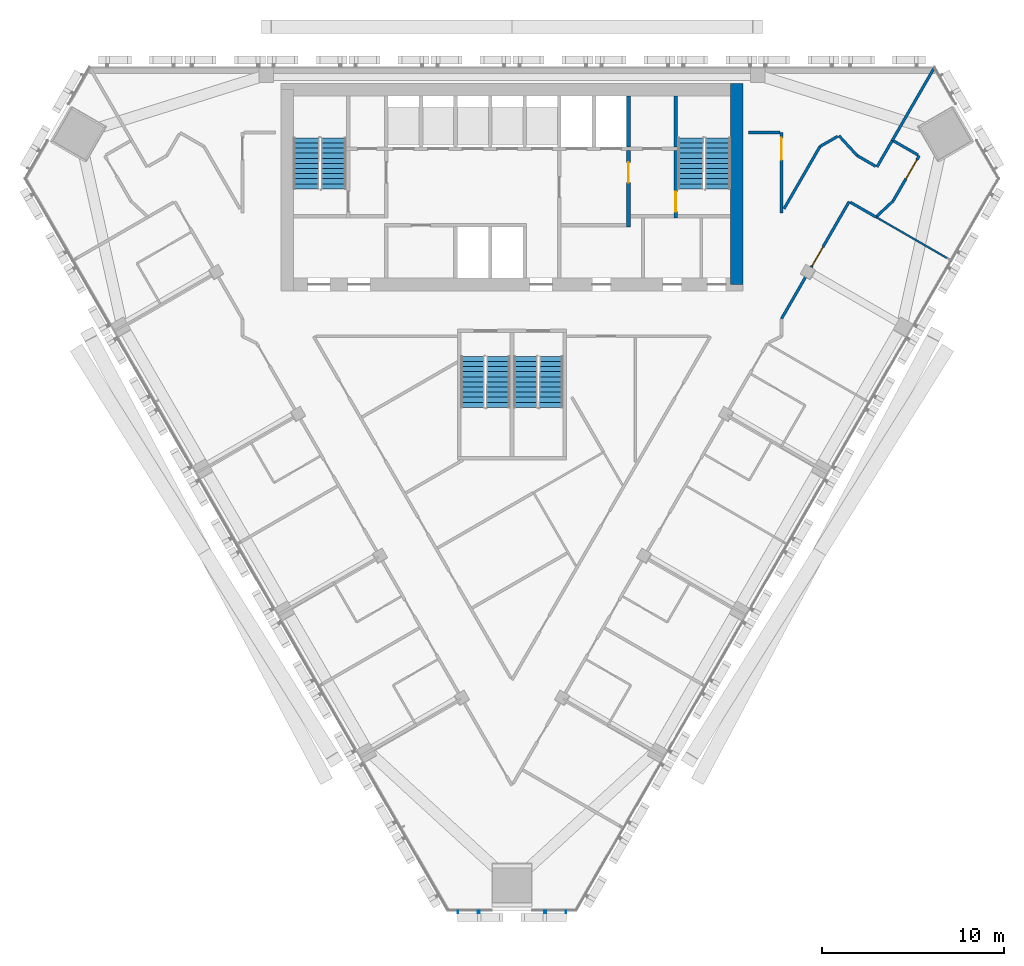
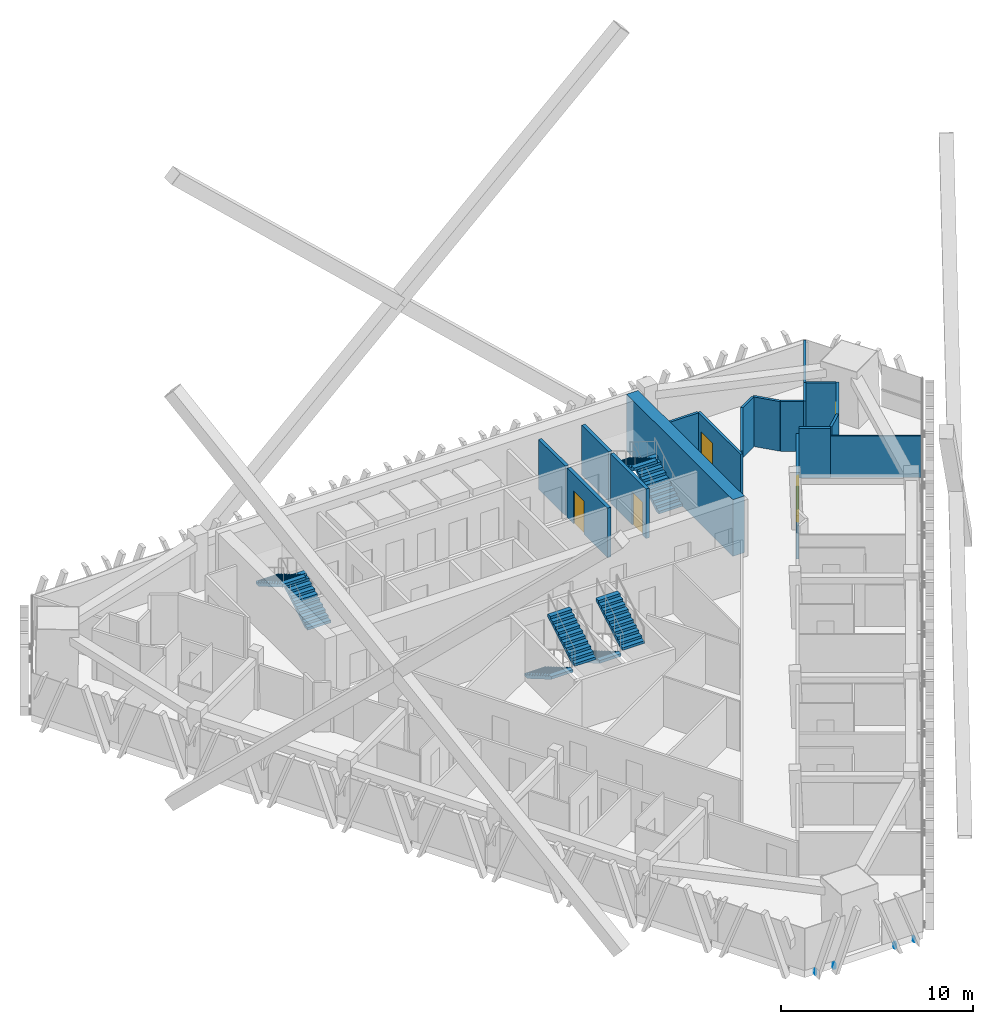
# One storey, part 14 of 18: 19 walls, 8 stair flights, 5 doors, 1 discrete accessory, 5 openings, 4 elements without a shape of their own.
"""IFC4 building model written with IfcOpenShell, lengths in metres."""

from ifc_helpers import new_model, si_unit, direction, frame, frame_2d, origin, place, context, subcontext, project, spatial, polyline, rectangle, outline, extrude, source, transform, mapped, material, layer, layer_set, type_object, element, fill, aggregate, save


model = new_model("IFC4")

# Units and contexts
model_context = context("Model", 3, precision=1e-05, world=origin(), true_north=direction((0.0, 1.0)))
body_context = subcontext(model_context, "Body", "Model", "MODEL_VIEW")
ifc_project = project(units=[si_unit("LENGTHUNIT", "METRE"), si_unit("AREAUNIT", "SQUARE_METRE"), si_unit("VOLUMEUNIT", "CUBIC_METRE"), si_unit("PLANEANGLEUNIT", "RADIAN"), si_unit("MASSUNIT", "GRAM", prefix="KILO")], contexts=[model_context])

# Site, building, storey
site_placement = place(None, origin())
site = spatial("IfcSite", under=ifc_project, at=site_placement, CompositionType="ELEMENT")
building_placement = place(site_placement, origin())
building = spatial("IfcBuilding", under=site, at=building_placement, Name="Altiplano Prism Tower", CompositionType="ELEMENT")
storey_placement = place(building_placement, frame((0.0, 0.0, 163.800048828125)))
storey = spatial("IfcBuildingStorey", under=building, at=storey_placement, Name="L42", CompositionType="ELEMENT", Elevation=163.800048828125)

# Walls
ifc_material_1 = material(Name="Concrete C60/75", Category="concrete")
ifc_layer_1 = layer(ifc_material_1, 0.699951171875)
ifc_layer_set_1 = layer_set([ifc_layer_1], Name="Concrete C60/75")
wall_type_1 = type_object("IfcWallType", Name="Core wall 700", PredefinedType="SHEAR", material=ifc_layer_set_1)
wall_1_placement = place(storey_placement, frame((97.35009765625, 93.050048828125, 0.0), z_axis=(0.0, 0.0, 1.0), x_axis=(0.0, 1.0, 0.0)))
element("IfcWall", 1, at=wall_1_placement, inside=storey, type_object=wall_type_1, Name="Core wall E L42", PredefinedType="SHEAR", context=body_context, shape_type="SweptSolid", body=[
    extrude(rectangle(XDim=11.050048828125, YDim=0.699951171875, at=frame_2d((5.52490234375, 0.0))), origin(), (0.0, 0.0, 1.0), 3.599853515625),
])
ifc_material_2 = material(Name="Plasterboard on steel stud", Category="steel")
ifc_layer_2 = layer(ifc_material_2, 0.10009765625)
ifc_layer_set_2 = layer_set([ifc_layer_2], Name="Plasterboard on steel stud")
wall_type_2 = type_object("IfcWallType", Name="Partition 100 wet", PredefinedType="PARTITIONING", material=ifc_layer_set_2)
wall_2_placement = place(storey_placement, frame((109.077880859375, 94.39306640625, 0.0), z_axis=(0.0, 0.0, 1.0), x_axis=(-0.866028828302, 0.499994068514, 0.0)))
element("IfcWall", 2, at=wall_2_placement, inside=storey, type_object=wall_type_2, Name="Partition P03 L42 078", PredefinedType="PARTITIONING", context=body_context, shape_type="SweptSolid", body=[
    extrude(rectangle(XDim=4.72021484375, YDim=0.10009765625, at=frame_2d((2.360107421875, 0.0))), origin(), (0.0, 0.0, 1.0), 2.64990234375),
])

# Wall, opening, door
ifc_layer_3 = layer(ifc_material_2, 0.14990234375)
ifc_layer_set_3 = layer_set([ifc_layer_3], Name="Plasterboard on steel stud")
wall_type_3 = type_object("IfcWallType", Name="Partition 150 corridor", PredefinedType="PARTITIONING", material=ifc_layer_set_3)
wall_3_placement = place(storey_placement, frame((99.800048828125, 91.163818359375, 0.0), z_axis=(0.0, 0.0, 1.0), x_axis=(0.499995303914, 0.866028115054, 0.0)))
wall_3 = element("IfcWall", 3, at=wall_3_placement, inside=storey, type_object=wall_type_3, Name="Partition P06 L42 016", PredefinedType="PARTITIONING", context=body_context, shape_type="SweptSolid", body=[
    extrude(rectangle(XDim=7.435546875, YDim=0.14990234375, at=frame_2d((3.7177734375, 0.0))), origin(), (0.0, 0.0, 1.0), 2.75),
])
opening_1_placement = place(wall_3_placement, frame((3.360107421875, 0.0, 0.0)))
opening_1 = element("IfcOpeningElement", 4, at=opening_1_placement, cuts=wall_3, Name="Opening D1501", PredefinedType="OPENING", context=body_context, shape_type="SweptSolid", body=[
    extrude(rectangle(XDim=1.199951171875, YDim=2.10009765625, at=frame_2d((0.60009765625, 1.050048828125))), frame((0.0, 0.08544921875, 0.0), z_axis=(0.0, -1.0, 0.0), x_axis=(1.0, 0.0, 0.0)), (0.0, 0.0, 1.0), 0.1708984375),
])
ifc_material_3 = material(Name="Timber", Category="wood")
door_type_1 = type_object("IfcDoorType", Name="Shared room door 1200 x 2100", OperationType="NOTDEFINED", PredefinedType="NOTDEFINED", material=ifc_material_3)
door_1_placement = place(opening_1_placement, origin())
door_1 = element("IfcDoor", 5, at=door_1_placement, inside=storey, type_object=door_type_1, Name="Door D1501", OperationType="SINGLE_SWING_RIGHT", OverallHeight=2.10009765625, OverallWidth=1.199951171875, PredefinedType="NOTDEFINED", context=body_context, shape_type="SweptSolid", body=[
    extrude(rectangle(XDim=1.199951171875, YDim=2.10009765625, at=frame_2d((0.60009765625, 1.050048828125))), frame((0.0, 0.02490234375, 0.0), z_axis=(0.0, -1.0, 0.0), x_axis=(1.0, 0.0, 0.0)), (0.0, 0.0, 1.0), 0.050048828125),
])
fill(opening_1, door_1)

# Walls
wall_4_placement = place(storey_placement, frame((103.582763671875, 97.565673828125, 0.0), z_axis=(0.0, 0.0, 1.0), x_axis=(0.865997838567, -0.500047741317, 0.0)))
element("IfcWall", 6, at=wall_4_placement, inside=storey, type_object=wall_type_3, Name="Partition P06 L42 017", PredefinedType="PARTITIONING", context=body_context, shape_type="SweptSolid", body=[
    extrude(rectangle(XDim=1.645751953125, YDim=0.14990234375, at=frame_2d((0.82275390625, 0.0))), origin(), (0.0, 0.0, 1.0), 3.14990234375),
])
wall_5_placement = place(storey_placement, frame((105.046875, 96.806396484375, 0.0), z_axis=(0.0, 0.0, 1.0), x_axis=(0.730353054174, 0.683069847277, 0.0)))
element("IfcWall", 7, at=wall_5_placement, inside=storey, type_object=wall_type_3, Name="Partition P06 L42 018", PredefinedType="PARTITIONING", context=body_context, shape_type="SweptSolid", body=[
    extrude(rectangle(XDim=1.203125, YDim=0.14990234375, at=frame_2d((0.6015625, 0.0))), origin(), (0.0, 0.0, 1.0), 3.14990234375),
])

# Wall, opening, door
wall_6_placement = place(storey_placement, frame((105.925537109375, 97.628173828125, 0.0), z_axis=(0.0, 0.0, 1.0), x_axis=(0.500006299954, 0.866021766474, 0.0)))
wall_6 = element("IfcWall", 8, at=wall_6_placement, inside=storey, type_object=wall_type_3, Name="Partition P06 L42 019", PredefinedType="PARTITIONING", context=body_context, shape_type="SweptSolid", body=[
    extrude(rectangle(XDim=2.87890625, YDim=0.14990234375, at=frame_2d((1.439453125, 0.0))), origin(), (0.0, 0.0, 1.0), 3.14990234375),
])
opening_2_placement = place(wall_6_placement, frame((1.416015625, 0.0, 0.0)))
opening_2 = element("IfcOpeningElement", 9, at=opening_2_placement, cuts=wall_6, Name="Opening D1502", PredefinedType="OPENING", context=body_context, shape_type="SweptSolid", body=[
    extrude(rectangle(XDim=1.199951171875, YDim=2.10009765625, at=frame_2d((0.60009765625, 1.050048828125))), frame((0.0, 0.08544921875, 0.0), z_axis=(0.0, -1.0, 0.0), x_axis=(1.0, 0.0, 0.0)), (0.0, 0.0, 1.0), 0.1708984375),
])
door_2_placement = place(opening_2_placement, origin())
door_2 = element("IfcDoor", 10, at=door_2_placement, inside=storey, type_object=door_type_1, Name="Door D1502", OperationType="SINGLE_SWING_LEFT", OverallHeight=2.10009765625, OverallWidth=1.199951171875, PredefinedType="NOTDEFINED", context=body_context, shape_type="SweptSolid", body=[
    extrude(rectangle(XDim=1.199951171875, YDim=2.10009765625, at=frame_2d((0.60009765625, 1.050048828125))), frame((0.0, 0.02490234375, 0.0), z_axis=(0.0, -1.0, 0.0), x_axis=(1.0, 0.0, 0.0)), (0.0, 0.0, 1.0), 0.050048828125),
])
fill(opening_2, door_2)

# Walls
wall_7_placement = place(storey_placement, frame((107.300048828125, 100.158935546875, 0.0), z_axis=(0.0, 0.0, 1.0), x_axis=(-0.865760426082, 0.500458674247, 0.0)))
element("IfcWall", 11, at=wall_7_placement, inside=storey, type_object=wall_type_3, Name="Partition P06 L42 020", PredefinedType="PARTITIONING", context=body_context, shape_type="SweptSolid", body=[
    extrude(rectangle(XDim=1.5498046875, YDim=0.14990234375, at=frame_2d((0.77490234375, 0.0))), origin(), (0.0, 0.0, 1.0), 3.14990234375),
])
wall_8_placement = place(storey_placement, frame((105.88330078125, 100.954833984375, 0.0), z_axis=(0.0, 0.0, 1.0), x_axis=(-0.500062097304, -0.865989548921, 0.0)))
element("IfcWall", 12, at=wall_8_placement, inside=storey, type_object=wall_type_3, Name="Partition P06 L42 028", PredefinedType="PARTITIONING", context=body_context, shape_type="SweptSolid", body=[
    extrude(rectangle(XDim=1.679931640625, YDim=0.14990234375, at=frame_2d((0.83984375, 0.0))), origin(), (0.0, 0.0, 1.0), 3.14990234375),
])
wall_9_placement = place(storey_placement, frame((104.978271484375, 99.53759765625, 0.0), z_axis=(0.0, 0.0, 1.0), x_axis=(-0.865789425062, 0.500408504574, 0.0)))
element("IfcWall", 13, at=wall_9_placement, inside=storey, type_object=wall_type_3, Name="Partition P06 L42 029", PredefinedType="PARTITIONING", context=body_context, shape_type="SweptSolid", body=[
    extrude(rectangle(XDim=1.1806640625, YDim=0.14990234375, at=frame_2d((0.59033203125, 0.0))), origin(), (0.0, 0.0, 1.0), 3.14990234375),
])
wall_10_placement = place(storey_placement, frame((103.9560546875, 100.12841796875, 0.0), z_axis=(0.0, 0.0, 1.0), x_axis=(-0.67570229945, 0.73717460789, 0.0)))
element("IfcWall", 14, at=wall_10_placement, inside=storey, type_object=wall_type_3, Name="Partition P06 L42 030", PredefinedType="PARTITIONING", context=body_context, shape_type="SweptSolid", body=[
    extrude(rectangle(XDim=1.4853515625, YDim=0.14990234375, at=frame_2d((0.74267578125, 0.0))), origin(), (0.0, 0.0, 1.0), 3.14990234375),
])
wall_11_placement = place(storey_placement, frame((102.88916015625, 101.186767578125, 0.0), z_axis=(0.0, 0.0, 1.0), x_axis=(-0.866063003914, -0.499934869009, 0.0)))
element("IfcWall", 15, at=wall_11_placement, inside=storey, type_object=wall_type_3, Name="Partition P06 L42 031", PredefinedType="PARTITIONING", context=body_context, shape_type="SweptSolid", body=[
    extrude(rectangle(XDim=1.127685546875, YDim=0.14990234375, at=frame_2d((0.56396484375, 0.0))), origin(), (0.0, 0.0, 1.0), 3.14990234375),
])
wall_12_placement = place(storey_placement, frame((101.91259765625, 100.623046875, 0.0), z_axis=(0.0, 0.0, 1.0), x_axis=(-0.499999210213, -0.866025859768, 0.0)))
element("IfcWall", 16, at=wall_12_placement, inside=storey, type_object=wall_type_3, Name="Partition P06 L42 032", PredefinedType="PARTITIONING", context=body_context, shape_type="SweptSolid", body=[
    extrude(rectangle(XDim=3.9453125, YDim=0.14990234375, at=frame_2d((1.97265625, 0.0))), origin(), (0.0, 0.0, 1.0), 3.14990234375),
])

# Wall, opening, door
wall_13_placement = place(storey_placement, frame((99.800048828125, 96.9638671875, 0.0), z_axis=(0.0, 0.0, 1.0), x_axis=(0.0, 1.0, 0.0)))
wall_13 = element("IfcWall", 17, at=wall_13_placement, inside=storey, type_object=wall_type_3, Name="Partition P06 L42 033", PredefinedType="PARTITIONING", context=body_context, shape_type="SweptSolid", body=[
    extrude(rectangle(XDim=4.43603515625, YDim=0.14990234375, at=frame_2d((2.218017578125, 0.0))), origin(), (0.0, 0.0, 1.0), 3.14990234375),
])
opening_3_placement = place(wall_13_placement, frame((2.931884765625, 0.0, 0.0)))
opening_3 = element("IfcOpeningElement", 18, at=opening_3_placement, cuts=wall_13, Name="Opening D1504", PredefinedType="OPENING", context=body_context, shape_type="SweptSolid", body=[
    extrude(rectangle(XDim=1.199951171875, YDim=2.10009765625, at=frame_2d((0.60009765625, 1.050048828125))), frame((0.0, 0.08544921875, 0.0), z_axis=(0.0, -1.0, 0.0), x_axis=(1.0, 0.0, 0.0)), (0.0, 0.0, 1.0), 0.1708984375),
])
door_3_placement = place(opening_3_placement, origin())
door_3 = element("IfcDoor", 19, at=door_3_placement, inside=storey, type_object=door_type_1, Name="Door D1504", OperationType="SINGLE_SWING_LEFT", OverallHeight=2.10009765625, OverallWidth=1.199951171875, PredefinedType="NOTDEFINED", context=body_context, shape_type="SweptSolid", body=[
    extrude(rectangle(XDim=1.199951171875, YDim=2.10009765625, at=frame_2d((0.60009765625, 1.050048828125))), frame((0.0, 0.02490234375, 0.0), z_axis=(0.0, -1.0, 0.0), x_axis=(1.0, 0.0, 0.0)), (0.0, 0.0, 1.0), 0.050048828125),
])
fill(opening_3, door_3)

# Walls
wall_14_placement = place(storey_placement, frame((99.72509765625, 101.39990234375, 0.0), z_axis=(0.0, 0.0, 1.0), x_axis=(-1.0, 0.0, 0.0)))
element("IfcWall", 20, at=wall_14_placement, inside=storey, type_object=wall_type_3, Name="Partition P06 L42 034", PredefinedType="PARTITIONING", context=body_context, shape_type="SweptSolid", body=[
    extrude(rectangle(XDim=1.72509765625, YDim=0.14990234375, at=frame_2d((0.862548828125, 0.0))), origin(), (0.0, 0.0, 1.0), 3.14990234375),
])
ifc_layer_4 = layer(ifc_material_2, 0.14990234375)
ifc_layer_set_4 = layer_set([ifc_layer_4], Name="Plasterboard on steel stud")
wall_type_4 = type_object("IfcWallType", Name="Partition 150 party", PredefinedType="PARTITIONING", material=ifc_layer_set_4)
wall_15_placement = place(storey_placement, frame((108.160888671875, 104.89990234375, 0.0), z_axis=(0.0, 0.0, 1.0), x_axis=(-0.499983800959, -0.866034756103, 0.0)))
element("IfcWall", 21, at=wall_15_placement, inside=storey, type_object=wall_type_4, Name="Partition P01 L42 079", PredefinedType="PARTITIONING", context=body_context, shape_type="SweptSolid", body=[
    extrude(rectangle(XDim=4.555419921875, YDim=0.14990234375, at=frame_2d((2.27783203125, 0.0))), origin(), (0.0, 0.0, 1.0), 2.64990234375),
])
ifc_layer_5 = layer(ifc_material_1, 0.199951171875)
ifc_layer_set_5 = layer_set([ifc_layer_5], Name="Concrete C60/75")
wall_type_5 = type_object("IfcWallType", Name="Shaft wall 200", PredefinedType="SOLIDWALL", material=ifc_layer_set_5)
wall_16_placement = place(storey_placement, frame((91.39990234375, 100.60009765625, 0.0), z_axis=(0.0, 0.0, 1.0), x_axis=(0.0, 1.0, 0.0)))
element("IfcWall", 22, at=wall_16_placement, inside=storey, type_object=wall_type_5, Name="Shaft wall L42", PredefinedType="SOLIDWALL", context=body_context, shape_type="SweptSolid", body=[
    extrude(rectangle(XDim=2.7998046875, YDim=0.199951171875, at=frame_2d((1.39990234375, 0.0))), origin(), (0.0, 0.0, 1.0), 3.14990234375),
])

# Wall, opening, door
ifc_layer_6 = layer(ifc_material_1, 0.199951171875)
ifc_layer_set_6 = layer_set([ifc_layer_6], Name="Concrete C60/75")
wall_type_6 = type_object("IfcWallType", Name="Stair wall 200", PredefinedType="SOLIDWALL", material=ifc_layer_set_6)
wall_17_placement = place(storey_placement, frame((94.0, 96.699951171875, 0.0), z_axis=(0.0, 0.0, 1.0), x_axis=(0.0, 1.0, 0.0)))
wall_17 = element("IfcWall", 23, at=wall_17_placement, inside=storey, type_object=wall_type_6, Name="Stair wall L42", PredefinedType="SOLIDWALL", context=body_context, shape_type="SweptSolid", body=[
    extrude(rectangle(XDim=3.699951171875, YDim=0.199951171875, at=frame_2d((1.85009765625, 0.0))), origin(), (0.0, 0.0, 1.0), 3.14990234375),
])
opening_4_placement = place(wall_17_placement, frame((0.35009765625, 0.0, 0.0)))
opening_4 = element("IfcOpeningElement", 24, at=opening_4_placement, cuts=wall_17, Name="Opening D3155", PredefinedType="OPENING", context=body_context, shape_type="SweptSolid", body=[
    extrude(rectangle(XDim=1.10009765625, YDim=2.10009765625, at=frame_2d((0.550048828125, 1.050048828125))), frame((0.0, 0.1103515625, 0.0), z_axis=(0.0, -1.0, 0.0), x_axis=(1.0, 0.0, 0.0)), (0.0, 0.0, 1.0), 0.220947265625),
])
ifc_material_4 = material(Name="Fire-rated steel door", Category="steel")
door_type_2 = type_object("IfcDoorType", Name="Stair fire door 1100 x 2100", OperationType="NOTDEFINED", PredefinedType="NOTDEFINED", material=ifc_material_4)
door_4_placement = place(opening_4_placement, origin())
door_4 = element("IfcDoor", 25, at=door_4_placement, inside=storey, type_object=door_type_2, Name="Stair fire door D3155", OperationType="SINGLE_SWING_LEFT", OverallHeight=2.10009765625, OverallWidth=1.10009765625, PredefinedType="NOTDEFINED", context=body_context, shape_type="SweptSolid", body=[
    extrude(rectangle(XDim=1.10009765625, YDim=2.10009765625, at=frame_2d((0.550048828125, 1.050048828125))), frame((0.0, 0.02490234375, 0.0), z_axis=(0.0, -1.0, 0.0), x_axis=(1.0, 0.0, 0.0)), (0.0, 0.0, 1.0), 0.050048828125),
])
fill(opening_4, door_4)

# Wall
wall_18_placement = place(storey_placement, frame((94.0, 100.60009765625, 0.0), z_axis=(0.0, 0.0, 1.0), x_axis=(0.0, 1.0, 0.0)))
element("IfcWall", 26, at=wall_18_placement, inside=storey, type_object=wall_type_6, Name="Stair wall L42", PredefinedType="SOLIDWALL", context=body_context, shape_type="SweptSolid", body=[
    extrude(rectangle(XDim=2.7998046875, YDim=0.199951171875, at=frame_2d((1.39990234375, 0.0))), origin(), (0.0, 0.0, 1.0), 3.14990234375),
])

# Wall, opening, door
ifc_layer_7 = layer(ifc_material_1, 0.199951171875)
ifc_layer_set_7 = layer_set([ifc_layer_7], Name="Concrete C60/75")
wall_type_7 = type_object("IfcWallType", Name="Vestibule wall 200", PredefinedType="PARTITIONING", material=ifc_layer_set_7)
wall_19_placement = place(storey_placement, frame((91.39990234375, 96.199951171875, 0.0), z_axis=(0.0, 0.0, 1.0), x_axis=(0.0, 1.0, 0.0)))
wall_19 = element("IfcWall", 27, at=wall_19_placement, inside=storey, type_object=wall_type_7, Name="Vestibule wall L42", PredefinedType="PARTITIONING", context=body_context, shape_type="SweptSolid", body=[
    extrude(rectangle(XDim=4.199951171875, YDim=0.199951171875, at=frame_2d((2.10009765625, 0.0))), origin(), (0.0, 0.0, 1.0), 3.14990234375),
])
opening_5_placement = place(wall_19_placement, frame((2.449951171875, 0.0, 0.0)))
opening_5 = element("IfcOpeningElement", 28, at=opening_5_placement, cuts=wall_19, Name="Opening D3158", PredefinedType="OPENING", context=body_context, shape_type="SweptSolid", body=[
    extrude(rectangle(XDim=1.10009765625, YDim=2.10009765625, at=frame_2d((0.550048828125, 1.050048828125))), frame((0.0, 0.1103515625, 0.0), z_axis=(0.0, -1.0, 0.0), x_axis=(1.0, 0.0, 0.0)), (0.0, 0.0, 1.0), 0.220947265625),
])
door_type_3 = type_object("IfcDoorType", Name="Vestibule fire door 1100 x 2100", OperationType="NOTDEFINED", PredefinedType="NOTDEFINED", material=ifc_material_4)
door_5_placement = place(opening_5_placement, origin())
door_5 = element("IfcDoor", 29, at=door_5_placement, inside=storey, type_object=door_type_3, Name="Vestibule fire door D3158", OperationType="SINGLE_SWING_LEFT", OverallHeight=2.10009765625, OverallWidth=1.10009765625, PredefinedType="NOTDEFINED", context=body_context, shape_type="SweptSolid", body=[
    extrude(rectangle(XDim=1.10009765625, YDim=2.10009765625, at=frame_2d((0.550048828125, 1.050048828125))), frame((0.0, 0.02490234375, 0.0), z_axis=(0.0, -1.0, 0.0), x_axis=(1.0, 0.0, 0.0)), (0.0, 0.0, 1.0), 0.050048828125),
])
fill(opening_5, door_5)

# Stair, stair flights
ifc_material_5 = material(Name="Concrete C40/50", Category="concrete")
stair_type_1 = type_object("IfcStairType", Name="Exit stair 1400", PredefinedType="HALF_TURN_STAIR", material=ifc_material_5)
stair_1_placement = place(storey_placement, origin())
stair_1 = element("IfcStair", 30, at=stair_1_placement, inside=storey, type_object=stair_type_1, Name="L42 Exit Stair 1", PredefinedType="HALF_TURN_STAIR")
stair_flight_type = type_object("IfcStairFlightType", Name="Stair flight concrete 150", PredefinedType="STRAIGHT", material=ifc_material_5)
stair_flight_1_placement = place(storey_placement, frame((75.199951171875, 98.300048828125, 0.0), z_axis=(0.0, 0.0, 1.0), x_axis=(0.0, 1.0, 0.0)))
stair_flight_1 = element("IfcStairFlight", 31, at=stair_flight_1_placement, type_object=stair_flight_type, Name="ST1 flight 1", NumberOfRisers=11, NumberOfTreads=10, PredefinedType="STRAIGHT", RiserHeight=0.163636364, TreadLength=0.28, context=body_context, shape_type="SweptSolid", body=[
    extrude(outline(polyline([(0.0, 0.0), (0.0, 0.16357421875), (0.280029296875, 0.16357421875), (0.280029296875, 0.327392578125), (0.56005859375, 0.327392578125), (0.56005859375, 0.490966796875), (0.840087890625, 0.490966796875), (0.840087890625, 0.654541015625), (1.1201171875, 0.654541015625), (1.1201171875, 0.818115234375), (1.39990234375, 0.818115234375), (1.39990234375, 0.98193359375), (1.679931640625, 0.98193359375), (1.679931640625, 1.1455078125), (1.9599609375, 1.1455078125), (1.9599609375, 1.30908203125), (2.239990234375, 1.30908203125), (2.239990234375, 1.47265625), (2.52001953125, 1.47265625), (2.52001953125, 1.636474609375), (2.800048828125, 1.636474609375), (2.800048828125, 1.800048828125), (2.800048828125, 1.462646484375), (0.297119140625, 0.0), (0.0, 0.0)])), frame((0.0, 0.699951171875, 0.0), z_axis=(0.0, -1.0, 0.0), x_axis=(1.0, 0.0, 0.0)), (0.0, 0.0, 1.0), 1.39990234375),
])
stair_flight_2_placement = place(storey_placement, frame((73.699951171875, 101.10009765625, 1.800048828125), z_axis=(0.0, 0.0, 1.0), x_axis=(0.0, -1.0, 0.0)))
stair_flight_2 = element("IfcStairFlight", 32, at=stair_flight_2_placement, type_object=stair_flight_type, Name="ST1 flight 2", NumberOfRisers=11, NumberOfTreads=10, PredefinedType="STRAIGHT", RiserHeight=0.163636364, TreadLength=0.28, context=body_context, shape_type="SweptSolid", body=[
    extrude(outline(polyline([(0.0, 0.0), (0.0, 0.16357421875), (0.280029296875, 0.16357421875), (0.280029296875, 0.327392578125), (0.56005859375, 0.327392578125), (0.56005859375, 0.490966796875), (0.840087890625, 0.490966796875), (0.840087890625, 0.654541015625), (1.1201171875, 0.654541015625), (1.1201171875, 0.818115234375), (1.39990234375, 0.818115234375), (1.39990234375, 0.98193359375), (1.679931640625, 0.98193359375), (1.679931640625, 1.1455078125), (1.9599609375, 1.1455078125), (1.9599609375, 1.30908203125), (2.239990234375, 1.30908203125), (2.239990234375, 1.47265625), (2.52001953125, 1.47265625), (2.52001953125, 1.636474609375), (2.800048828125, 1.636474609375), (2.800048828125, 1.800048828125), (2.800048828125, 1.462646484375), (0.297119140625, 0.0), (0.0, 0.0)])), frame((0.0, 0.699951171875, 0.0), z_axis=(0.0, -1.0, 0.0), x_axis=(1.0, 0.0, 0.0)), (0.0, 0.0, 1.0), 1.39990234375),
])
aggregate(stair_1, [stair_flight_1, stair_flight_2])

stair_2_placement = place(storey_placement, origin())
stair_2 = element("IfcStair", 33, at=stair_2_placement, inside=storey, type_object=stair_type_1, Name="L42 Exit Stair 2", PredefinedType="HALF_TURN_STAIR")
stair_flight_3_placement = place(storey_placement, frame((96.300048828125, 98.300048828125, 0.0), z_axis=(0.0, 0.0, 1.0), x_axis=(0.0, 1.0, 0.0)))
stair_flight_3 = element("IfcStairFlight", 34, at=stair_flight_3_placement, type_object=stair_flight_type, Name="ST2 flight 1", NumberOfRisers=11, NumberOfTreads=10, PredefinedType="STRAIGHT", RiserHeight=0.163636364, TreadLength=0.28, context=body_context, shape_type="SweptSolid", body=[
    extrude(outline(polyline([(0.0, 0.0), (0.0, 0.16357421875), (0.280029296875, 0.16357421875), (0.280029296875, 0.327392578125), (0.56005859375, 0.327392578125), (0.56005859375, 0.490966796875), (0.840087890625, 0.490966796875), (0.840087890625, 0.654541015625), (1.1201171875, 0.654541015625), (1.1201171875, 0.818115234375), (1.39990234375, 0.818115234375), (1.39990234375, 0.98193359375), (1.679931640625, 0.98193359375), (1.679931640625, 1.1455078125), (1.9599609375, 1.1455078125), (1.9599609375, 1.30908203125), (2.239990234375, 1.30908203125), (2.239990234375, 1.47265625), (2.52001953125, 1.47265625), (2.52001953125, 1.636474609375), (2.800048828125, 1.636474609375), (2.800048828125, 1.800048828125), (2.800048828125, 1.462646484375), (0.297119140625, 0.0), (0.0, 0.0)])), frame((0.0, 0.699951171875, 0.0), z_axis=(0.0, -1.0, 0.0), x_axis=(1.0, 0.0, 0.0)), (0.0, 0.0, 1.0), 1.39990234375),
])
stair_flight_4_placement = place(storey_placement, frame((94.800048828125, 101.10009765625, 1.800048828125), z_axis=(0.0, 0.0, 1.0), x_axis=(0.0, -1.0, 0.0)))
stair_flight_4 = element("IfcStairFlight", 35, at=stair_flight_4_placement, type_object=stair_flight_type, Name="ST2 flight 2", NumberOfRisers=11, NumberOfTreads=10, PredefinedType="STRAIGHT", RiserHeight=0.163636364, TreadLength=0.28, context=body_context, shape_type="SweptSolid", body=[
    extrude(outline(polyline([(0.0, 0.0), (0.0, 0.16357421875), (0.280029296875, 0.16357421875), (0.280029296875, 0.327392578125), (0.56005859375, 0.327392578125), (0.56005859375, 0.490966796875), (0.840087890625, 0.490966796875), (0.840087890625, 0.654541015625), (1.1201171875, 0.654541015625), (1.1201171875, 0.818115234375), (1.39990234375, 0.818115234375), (1.39990234375, 0.98193359375), (1.679931640625, 0.98193359375), (1.679931640625, 1.1455078125), (1.9599609375, 1.1455078125), (1.9599609375, 1.30908203125), (2.239990234375, 1.30908203125), (2.239990234375, 1.47265625), (2.52001953125, 1.47265625), (2.52001953125, 1.636474609375), (2.800048828125, 1.636474609375), (2.800048828125, 1.800048828125), (2.800048828125, 1.462646484375), (0.297119140625, 0.0), (0.0, 0.0)])), frame((0.0, 0.699951171875, 0.0), z_axis=(0.0, -1.0, 0.0), x_axis=(1.0, 0.0, 0.0)), (0.0, 0.0, 1.0), 1.39990234375),
])
aggregate(stair_2, [stair_flight_3, stair_flight_4])

stair_type_2 = type_object("IfcStairType", Name="Exit stair 1300", PredefinedType="HALF_TURN_STAIR", material=ifc_material_5)
stair_3_placement = place(storey_placement, origin())
stair_3 = element("IfcStair", 36, at=stair_3_placement, inside=storey, type_object=stair_type_2, Name="L42 Exit Stair 3A", PredefinedType="HALF_TURN_STAIR")
stair_flight_5_placement = place(storey_placement, frame((82.85009765625, 89.10009765625, 0.0), z_axis=(0.0, 0.0, 1.0), x_axis=(0.0, -1.0, 0.0)))
stair_flight_5 = element("IfcStairFlight", 37, at=stair_flight_5_placement, type_object=stair_flight_type, Name="ST3A flight 1", NumberOfRisers=11, NumberOfTreads=10, PredefinedType="STRAIGHT", RiserHeight=0.163636364, TreadLength=0.28, context=body_context, shape_type="SweptSolid", body=[
    extrude(outline(polyline([(0.0, 0.0), (0.0, 0.16357421875), (0.280029296875, 0.16357421875), (0.280029296875, 0.327392578125), (0.56005859375, 0.327392578125), (0.56005859375, 0.490966796875), (0.840087890625, 0.490966796875), (0.840087890625, 0.654541015625), (1.1201171875, 0.654541015625), (1.1201171875, 0.818115234375), (1.39990234375, 0.818115234375), (1.39990234375, 0.98193359375), (1.679931640625, 0.98193359375), (1.679931640625, 1.1455078125), (1.9599609375, 1.1455078125), (1.9599609375, 1.30908203125), (2.239990234375, 1.30908203125), (2.239990234375, 1.47265625), (2.52001953125, 1.47265625), (2.52001953125, 1.636474609375), (2.800048828125, 1.636474609375), (2.800048828125, 1.800048828125), (2.800048828125, 1.462646484375), (0.297119140625, 0.0), (0.0, 0.0)])), frame((0.0, 0.64990234375, 0.0), z_axis=(0.0, -1.0, 0.0), x_axis=(1.0, 0.0, 0.0)), (0.0, 0.0, 1.0), 1.300048828125),
])
stair_flight_6_placement = place(storey_placement, frame((84.25, 86.300048828125, 1.800048828125), z_axis=(0.0, 0.0, 1.0), x_axis=(0.0, 1.0, 0.0)))
stair_flight_6 = element("IfcStairFlight", 38, at=stair_flight_6_placement, type_object=stair_flight_type, Name="ST3A flight 2", NumberOfRisers=11, NumberOfTreads=10, PredefinedType="STRAIGHT", RiserHeight=0.163636364, TreadLength=0.28, context=body_context, shape_type="SweptSolid", body=[
    extrude(outline(polyline([(0.0, 0.0), (0.0, 0.16357421875), (0.280029296875, 0.16357421875), (0.280029296875, 0.327392578125), (0.56005859375, 0.327392578125), (0.56005859375, 0.490966796875), (0.840087890625, 0.490966796875), (0.840087890625, 0.654541015625), (1.1201171875, 0.654541015625), (1.1201171875, 0.818115234375), (1.39990234375, 0.818115234375), (1.39990234375, 0.98193359375), (1.679931640625, 0.98193359375), (1.679931640625, 1.1455078125), (1.9599609375, 1.1455078125), (1.9599609375, 1.30908203125), (2.239990234375, 1.30908203125), (2.239990234375, 1.47265625), (2.52001953125, 1.47265625), (2.52001953125, 1.636474609375), (2.800048828125, 1.636474609375), (2.800048828125, 1.800048828125), (2.800048828125, 1.462646484375), (0.297119140625, 0.0), (0.0, 0.0)])), frame((0.0, 0.64990234375, 0.0), z_axis=(0.0, -1.0, 0.0), x_axis=(1.0, 0.0, 0.0)), (0.0, 0.0, 1.0), 1.300048828125),
])
aggregate(stair_3, [stair_flight_5, stair_flight_6])

stair_4_placement = place(storey_placement, origin())
stair_4 = element("IfcStair", 39, at=stair_4_placement, inside=storey, type_object=stair_type_2, Name="L42 Exit Stair 3B", PredefinedType="HALF_TURN_STAIR")
stair_flight_7_placement = place(storey_placement, frame((85.75, 89.10009765625, 0.0), z_axis=(0.0, 0.0, 1.0), x_axis=(0.0, -1.0, 0.0)))
stair_flight_7 = element("IfcStairFlight", 40, at=stair_flight_7_placement, type_object=stair_flight_type, Name="ST3B flight 1", NumberOfRisers=11, NumberOfTreads=10, PredefinedType="STRAIGHT", RiserHeight=0.163636364, TreadLength=0.28, context=body_context, shape_type="SweptSolid", body=[
    extrude(outline(polyline([(0.0, 0.0), (0.0, 0.16357421875), (0.280029296875, 0.16357421875), (0.280029296875, 0.327392578125), (0.56005859375, 0.327392578125), (0.56005859375, 0.490966796875), (0.840087890625, 0.490966796875), (0.840087890625, 0.654541015625), (1.1201171875, 0.654541015625), (1.1201171875, 0.818115234375), (1.39990234375, 0.818115234375), (1.39990234375, 0.98193359375), (1.679931640625, 0.98193359375), (1.679931640625, 1.1455078125), (1.9599609375, 1.1455078125), (1.9599609375, 1.30908203125), (2.239990234375, 1.30908203125), (2.239990234375, 1.47265625), (2.52001953125, 1.47265625), (2.52001953125, 1.636474609375), (2.800048828125, 1.636474609375), (2.800048828125, 1.800048828125), (2.800048828125, 1.462646484375), (0.297119140625, 0.0), (0.0, 0.0)])), frame((0.0, 0.64990234375, 0.0), z_axis=(0.0, -1.0, 0.0), x_axis=(1.0, 0.0, 0.0)), (0.0, 0.0, 1.0), 1.300048828125),
])
stair_flight_8_placement = place(storey_placement, frame((87.14990234375, 86.300048828125, 1.800048828125), z_axis=(0.0, 0.0, 1.0), x_axis=(0.0, 1.0, 0.0)))
stair_flight_8 = element("IfcStairFlight", 41, at=stair_flight_8_placement, type_object=stair_flight_type, Name="ST3B flight 2", NumberOfRisers=11, NumberOfTreads=10, PredefinedType="STRAIGHT", RiserHeight=0.163636364, TreadLength=0.28, context=body_context, shape_type="SweptSolid", body=[
    extrude(outline(polyline([(0.0, 0.0), (0.0, 0.16357421875), (0.280029296875, 0.16357421875), (0.280029296875, 0.327392578125), (0.56005859375, 0.327392578125), (0.56005859375, 0.490966796875), (0.840087890625, 0.490966796875), (0.840087890625, 0.654541015625), (1.1201171875, 0.654541015625), (1.1201171875, 0.818115234375), (1.39990234375, 0.818115234375), (1.39990234375, 0.98193359375), (1.679931640625, 0.98193359375), (1.679931640625, 1.1455078125), (1.9599609375, 1.1455078125), (1.9599609375, 1.30908203125), (2.239990234375, 1.30908203125), (2.239990234375, 1.47265625), (2.52001953125, 1.47265625), (2.52001953125, 1.636474609375), (2.800048828125, 1.636474609375), (2.800048828125, 1.800048828125), (2.800048828125, 1.462646484375), (0.297119140625, 0.0), (0.0, 0.0)])), frame((0.0, 0.64990234375, 0.0), z_axis=(0.0, -1.0, 0.0), x_axis=(1.0, 0.0, 0.0)), (0.0, 0.0, 1.0), 1.300048828125),
])
aggregate(stair_4, [stair_flight_7, stair_flight_8])

# Discrete accessory
ifc_material_6 = material(Name="Stainless steel", Category="steel")
discrete_accessory_type = type_object("IfcDiscreteAccessoryType", Name="Stone fin fixing prongs", PredefinedType="USERDEFINED", material=ifc_material_6)
shared_shape = source(origin(), body_context, "Body", "SweptSolid", [
    extrude(outline(polyline([(-2.989990234375, 0.06005859375), (-2.9384765625, 0.06005859375), (-2.9384765625, 0.389892578125), (-2.989990234375, 0.389892578125), (-2.989990234375, 0.06005859375)])), frame((0.0, 0.0, 0.0), z_axis=(0.0, -1.0, 0.0), x_axis=(1.0, 0.0, 0.0)), (0.0, 0.0, 1.0), 0.14990234375),
    extrude(outline(polyline([(-1.888427734375, 0.06005859375), (-1.768310546875, 0.06005859375), (-1.768310546875, 0.389892578125), (-1.888427734375, 0.389892578125), (-1.888427734375, 0.06005859375)])), frame((0.0, 0.0, 0.0), z_axis=(0.0, -1.0, 0.0), x_axis=(1.0, 0.0, 0.0)), (0.0, 0.0, 1.0), 0.14990234375),
    extrude(outline(polyline([(1.768310546875, 0.06005859375), (1.888427734375, 0.06005859375), (1.888427734375, 0.389892578125), (1.768310546875, 0.389892578125), (1.768310546875, 0.06005859375)])), frame((0.0, 0.0, 0.0), z_axis=(0.0, -1.0, 0.0), x_axis=(1.0, 0.0, 0.0)), (0.0, 0.0, 1.0), 0.14990234375),
    extrude(outline(polyline([(2.9384765625, 0.06005859375), (2.989990234375, 0.06005859375), (2.989990234375, 0.389892578125), (2.9384765625, 0.389892578125), (2.9384765625, 0.06005859375)])), frame((0.0, 0.0, 0.0), z_axis=(0.0, -1.0, 0.0), x_axis=(1.0, 0.0, 0.0)), (0.0, 0.0, 1.0), 0.14990234375),
])
discrete_accessory_placement = place(storey_placement, origin())
element("IfcDiscreteAccessory", 42, at=discrete_accessory_placement, inside=storey, type_object=discrete_accessory_type, Name="Fin fixings L42 south chamfer", ObjectType="BRACKET", PredefinedType="USERDEFINED", context=body_context, shape_type="MappedRepresentation", body=[
    mapped(shared_shape, transform((85.0, 58.65673828125, -0.449951171875), x_axis=(1.0, 0.0, 0.0), y_axis=(0.0, 1.0, 0.0), z_axis=(0.0, 0.0, 1.0))),
])

save(model, "model.ifc")
